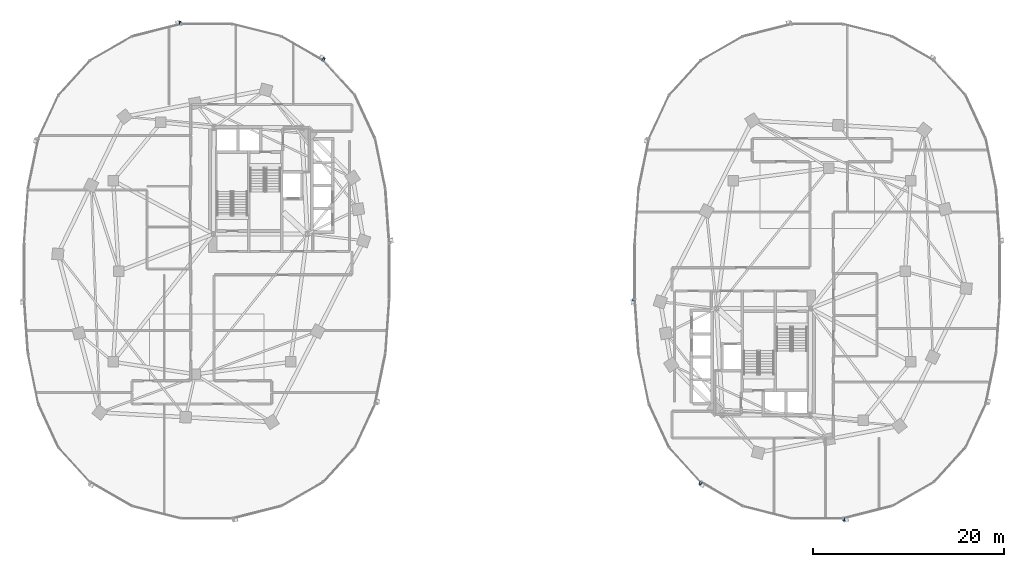
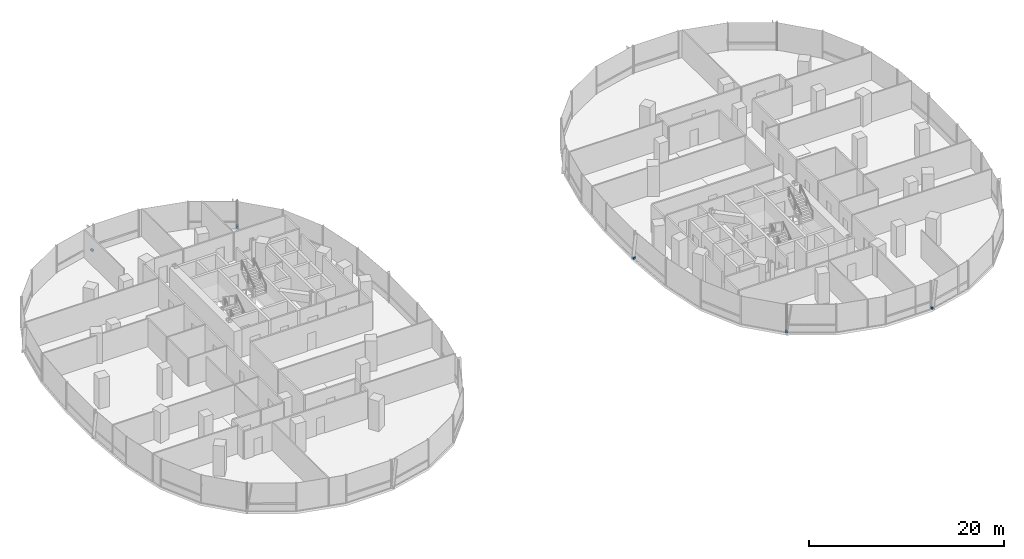
# One storey, part 16 of 22: 5 discrete accessories.
"""IFC4 building model written with IfcOpenShell, lengths in metres."""

from ifc_helpers import new_model, si_unit, direction, frame, origin, origin_2d, place, context, subcontext, project, spatial, rectangle, extrude, material, type_object, element, save


model = new_model("IFC4")

# Units and contexts
model_context = context("Model", 3, precision=1e-05, world=origin(), true_north=direction((0.0, 1.0)))
body_context = subcontext(model_context, "Body", "Model", "MODEL_VIEW")
ifc_project = project(units=[si_unit("LENGTHUNIT", "METRE"), si_unit("AREAUNIT", "SQUARE_METRE"), si_unit("VOLUMEUNIT", "CUBIC_METRE"), si_unit("PLANEANGLEUNIT", "RADIAN"), si_unit("MASSUNIT", "GRAM", prefix="KILO"), si_unit("THERMODYNAMICTEMPERATUREUNIT", "KELVIN"), si_unit("POWERUNIT", "WATT")], contexts=[model_context])

# Site, building, storey
site_placement = place(None, origin())
site = spatial("IfcSite", under=ifc_project, at=site_placement, CompositionType="ELEMENT")
building_placement = place(site_placement, origin())
building = spatial("IfcBuilding", under=site, at=building_placement, Name="Cundina Bronze Exchange", CompositionType="ELEMENT")
storey_placement = place(building_placement, frame((0.0, 0.0, 35.39990234375)))
storey = spatial("IfcBuildingStorey", under=building, at=storey_placement, Name="L08", CompositionType="ELEMENT", Elevation=35.39990234375)

# Discrete accessories
ifc_material = material(Name="Anodised Bronze Aluminium 6063-T6", Category="aluminium")
discrete_accessory_type = type_object("IfcDiscreteAccessoryType", Name="ACC-BRK-FIN", PredefinedType="BRACKET", material=ifc_material)
for number, where, z_axis, x_axis, name in (
    (1, (-19.740478515625, 22.21875, 0.10009765625), (0.0, 0.0, 1.0), (-0.867105478933, 0.498124571171, 0.0), "L08 Fin Support Bracket 5"),
    (2, (-34.76025390625, 26.03173828125, 0.10009765625), (0.0, 0.0, 1.0), (-0.969488149345, -0.245138182011, 0.0), "L08 Fin Support Bracket 1"),
    (3, (12.735595703125, -2.986083984375, 0.10009765625), (0.0, 0.0, 1.0), (0.070278787473, -0.997527389113, 0.0), "L08 Fin Support Bracket 1"),
    (4, (19.740478515625, -22.21875, 0.10009765625), (0.0, 0.0, 1.0), (0.867105478933, -0.498124571171, 0.0), "L08 Fin Support Bracket 5"),
    (5, (34.76025390625, -26.03173828125, 0.10009765625), (0.0, 0.0, 1.0), (0.969488149345, 0.245138182011, 0.0), "L08 Fin Support Bracket 1"),
):
    element("IfcDiscreteAccessory", number, at=place(storey_placement, frame(where, z_axis=z_axis, x_axis=x_axis)), inside=storey, type_object=discrete_accessory_type, Name=name, PredefinedType="BRACKET", context=body_context, shape_type="SweptSolid", body=[
        extrude(rectangle(XDim=0.219970703125, YDim=0.320068359375, at=origin_2d()), origin(), (0.0, 0.0, 1.0), 0.239990234375),
    ])

save(model, "model.ifc")
